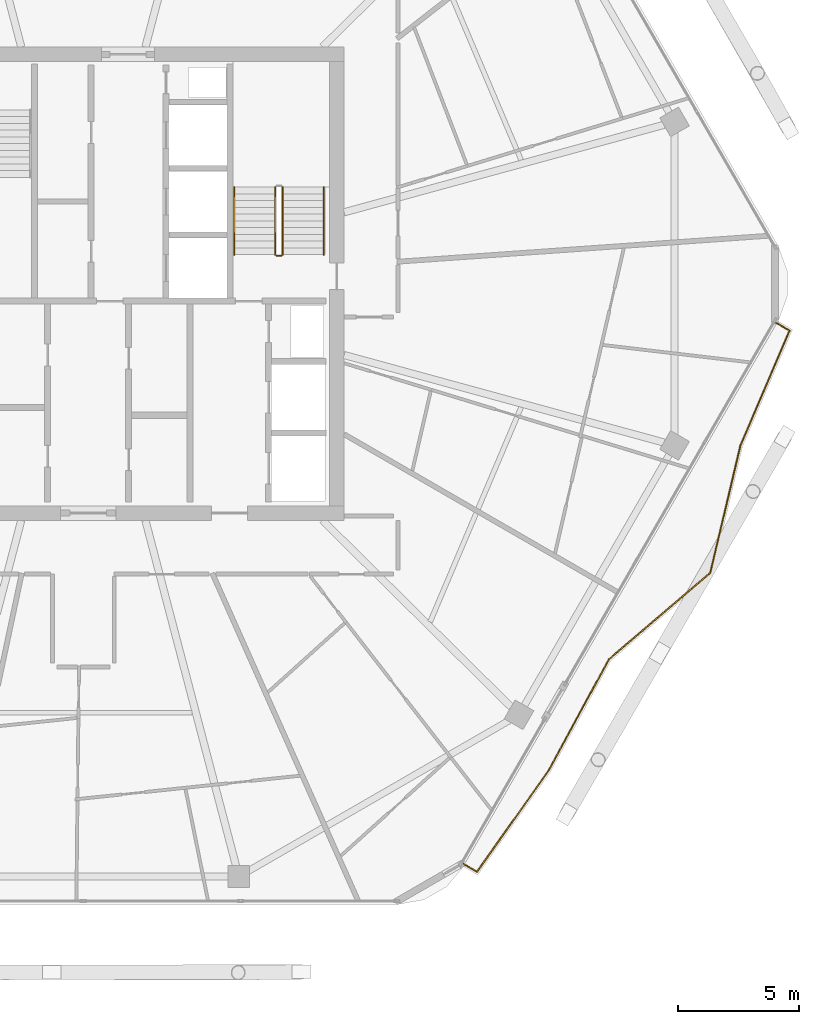
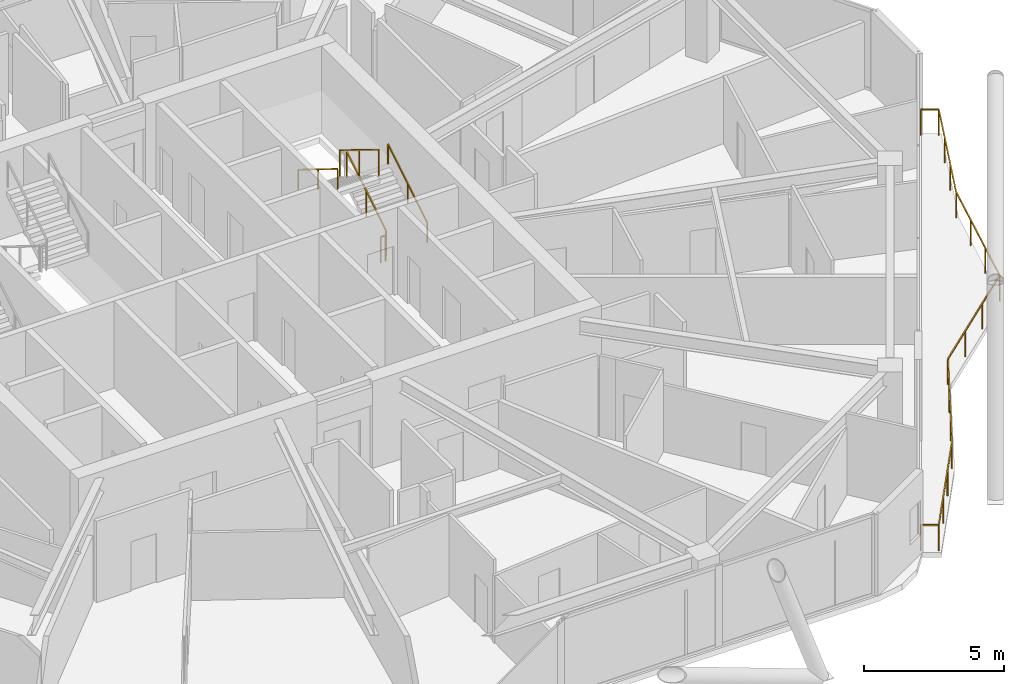
# One storey, part 27 of 29: 6 railings.
"""IFC4 building model written with IfcOpenShell, lengths in metres."""

from ifc_helpers import new_model, si_unit, direction, frame, origin, origin_2d, place, context, subcontext, project, spatial, rectangle, extrude, material, type_object, element, save


model = new_model("IFC4")

# Units and contexts
model_context = context("Model", 3, precision=1e-05, world=origin(), true_north=direction((0.0, 1.0)))
body_context = subcontext(model_context, "Body", "Model", "MODEL_VIEW")
ifc_project = project(units=[si_unit("LENGTHUNIT", "METRE"), si_unit("AREAUNIT", "SQUARE_METRE"), si_unit("VOLUMEUNIT", "CUBIC_METRE"), si_unit("PLANEANGLEUNIT", "RADIAN"), si_unit("MASSUNIT", "GRAM", prefix="KILO")], contexts=[model_context])

# Site, building, storey
site_placement = place(None, origin())
site = spatial("IfcSite", under=ifc_project, at=site_placement, CompositionType="ELEMENT")
building_placement = place(site_placement, origin())
building = spatial("IfcBuilding", under=site, at=building_placement, Name="Zuhravey Tower", CompositionType="ELEMENT")
storey_placement = place(building_placement, frame((0.0, 0.0, 246.39990234375)))
storey = spatial("IfcBuildingStorey", under=building, at=storey_placement, Name="L62", CompositionType="ELEMENT", Elevation=246.39990234375)

# Railings
ifc_material_1 = material(Name="Stainless steel 316 and laminated glass", Category="steel")
railing_type_1 = type_object("IfcRailingType", Name="Balcony & Terrace Guardrail 1150", PredefinedType="BALUSTRADE", material=ifc_material_1)
railing_1_placement = place(storey_placement, frame((64.68310546875, 30.38330078125, 0.0)))
element("IfcRailing", 1, at=railing_1_placement, inside=storey, type_object=railing_type_1, Name="L62 Face 6 Wave Balcony Guardrail GR1", PredefinedType="BALUSTRADE", context=body_context, shape_type="SweptSolid", body=[
    extrude(rectangle(XDim=0.048095703125, YDim=0.048095703125, at=origin_2d()), frame((0.001708984375, -0.0009765625, 1.1259765625), z_axis=(0.866229264226, -0.499646737003, 0.0), x_axis=(0.499646737003, 0.866229264226, 0.0)), (0.0, 0.0, 1.0), 0.6474609375),
    extrude(rectangle(XDim=0.048095703125, YDim=0.048095703125, at=origin_2d()), frame((0.5634765625, -0.327392578125, 1.1259765625), z_axis=(-0.393235827629, -0.919437645449, 0.0), x_axis=(0.919437645449, -0.393235827629, 0.0)), (0.0, 0.0, 1.0), 5.170166015625),
    extrude(rectangle(XDim=0.048095703125, YDim=0.048095703125, at=origin_2d()), frame((-1.470947265625, -5.084716796875, 1.1259765625), z_axis=(-0.230469750146, -0.97307949021, 0.0), x_axis=(0.97307949021, -0.230469750146, 0.0)), (0.0, 0.0, 1.0), 5.41748046875),
    extrude(rectangle(XDim=0.048095703125, YDim=0.048095703125, at=origin_2d()), frame((-2.721435546875, -10.359619140625, 1.1259765625), z_axis=(-0.760690721495, -0.649114493931, 0.0), x_axis=(0.649114493931, -0.760690721495, 0.0)), (0.0, 0.0, 1.0), 5.5166015625),
    extrude(rectangle(XDim=0.048095703125, YDim=0.048095703125, at=origin_2d()), frame((-6.92041015625, -13.943603515625, 1.1259765625), z_axis=(-0.476869387505, -0.878974167573, 0.0), x_axis=(0.878974167573, -0.476869387505, 0.0)), (0.0, 0.0, 1.0), 5.227294921875),
    extrude(rectangle(XDim=0.048095703125, YDim=0.048095703125, at=origin_2d()), frame((-9.415283203125, -18.541748046875, 1.1259765625), z_axis=(-0.576823017697, -0.816869148796, 0.0), x_axis=(0.816869148796, -0.576823017697, 0.0)), (0.0, 0.0, 1.0), 5.13720703125),
    extrude(rectangle(XDim=0.048095703125, YDim=0.048095703125, at=origin_2d()), frame((-12.38134765625, -22.73876953125, 1.1259765625), z_axis=(-0.865941137857, 0.500145924473, 0.0), x_axis=(-0.500145924473, -0.865941137857, 0.0)), (0.0, 0.0, 1.0), 0.644775390625),
    extrude(rectangle(XDim=0.0419921875, YDim=0.0419921875, at=origin_2d()), origin(), (0.0, 0.0, 1.0), 1.099853515625),
    extrude(rectangle(XDim=0.0419921875, YDim=0.0419921875, at=origin_2d()), frame((0.564208984375, -0.325439453125, 0.0)), (0.0, 0.0, 1.0), 1.099853515625),
    extrude(rectangle(XDim=0.0419921875, YDim=0.0419921875, at=origin_2d()), frame((-0.114013671875, -1.9111328125, 0.0)), (0.0, 0.0, 1.0), 1.099853515625),
    extrude(rectangle(XDim=0.0419921875, YDim=0.0419921875, at=origin_2d()), frame((-0.792236328125, -3.4970703125, 0.0)), (0.0, 0.0, 1.0), 1.099853515625),
    extrude(rectangle(XDim=0.0419921875, YDim=0.0419921875, at=origin_2d()), frame((-1.470458984375, -5.082763671875, 0.0)), (0.0, 0.0, 1.0), 1.099853515625),
    extrude(rectangle(XDim=0.0419921875, YDim=0.0419921875, at=origin_2d()), frame((-1.886962890625, -6.84130859375, 0.0)), (0.0, 0.0, 1.0), 1.099853515625),
    extrude(rectangle(XDim=0.0419921875, YDim=0.0419921875, at=origin_2d()), frame((-2.303466796875, -8.599853515625, 0.0)), (0.0, 0.0, 1.0), 1.099853515625),
    extrude(rectangle(XDim=0.0419921875, YDim=0.0419921875, at=origin_2d()), frame((-2.719970703125, -10.3583984375, 0.0)), (0.0, 0.0, 1.0), 1.099853515625),
    extrude(rectangle(XDim=0.0419921875, YDim=0.0419921875, at=origin_2d()), frame((-4.119873046875, -11.552978515625, 0.0)), (0.0, 0.0, 1.0), 1.099853515625),
    extrude(rectangle(XDim=0.0419921875, YDim=0.0419921875, at=origin_2d()), frame((-5.51953125, -12.747314453125, 0.0)), (0.0, 0.0, 1.0), 1.099853515625),
    extrude(rectangle(XDim=0.0419921875, YDim=0.0419921875, at=origin_2d()), frame((-6.91943359375, -13.94189453125, 0.0)), (0.0, 0.0, 1.0), 1.099853515625),
    extrude(rectangle(XDim=0.0419921875, YDim=0.0419921875, at=origin_2d()), frame((-7.7509765625, -15.474609375, 0.0)), (0.0, 0.0, 1.0), 1.099853515625),
    extrude(rectangle(XDim=0.0419921875, YDim=0.0419921875, at=origin_2d()), frame((-8.58251953125, -17.00732421875, 0.0)), (0.0, 0.0, 1.0), 1.099853515625),
    extrude(rectangle(XDim=0.0419921875, YDim=0.0419921875, at=origin_2d()), frame((-9.4140625, -18.5400390625, 0.0)), (0.0, 0.0, 1.0), 1.099853515625),
    extrude(rectangle(XDim=0.0419921875, YDim=0.0419921875, at=origin_2d()), frame((-10.402587890625, -19.93994140625, 0.0)), (0.0, 0.0, 1.0), 1.099853515625),
    extrude(rectangle(XDim=0.0419921875, YDim=0.0419921875, at=origin_2d()), frame((-11.39111328125, -21.33984375, 0.0)), (0.0, 0.0, 1.0), 1.099853515625),
    extrude(rectangle(XDim=0.0419921875, YDim=0.0419921875, at=origin_2d()), frame((-12.379638671875, -22.73974609375, 0.0)), (0.0, 0.0, 1.0), 1.099853515625),
    extrude(rectangle(XDim=0.0419921875, YDim=0.0419921875, at=origin_2d()), frame((-12.94140625, -22.415283203125, 0.0)), (0.0, 0.0, 1.0), 1.099853515625),
])
ifc_material_2 = material(Name="Brushed stainless steel", Category="steel")
railing_type_2 = type_object("IfcRailingType", Name="Stair Wall Handrail 900", PredefinedType="HANDRAIL", material=ifc_material_2)
railing_2_placement = place(storey_placement, frame((45.949951171875, 33.199951171875, 0.1728515625)))
element("IfcRailing", 2, at=railing_2_placement, inside=storey, type_object=railing_type_2, Name="L62 ST2 stair handrail 1", PredefinedType="HANDRAIL", context=body_context, shape_type="SweptSolid", body=[
    extrude(rectangle(XDim=0.048095703125, YDim=0.048095703125, at=origin_2d()), frame((0.0, 0.001708984375, 0.876953125), z_axis=(0.0, 0.851089632645, 0.525020415988), x_axis=(-1.0, 0.0, 0.0)), (0.0, 0.0, 1.0), 3.285888671875),
    extrude(rectangle(XDim=0.0419921875, YDim=0.0419921875, at=origin_2d()), origin(), (0.0, 0.0, 1.0), 0.849853515625),
    extrude(rectangle(XDim=0.0419921875, YDim=0.0419921875, at=origin_2d()), frame((0.0, 1.39990234375, 0.86376953125)), (0.0, 0.0, 1.0), 0.849853515625),
    extrude(rectangle(XDim=0.0419921875, YDim=0.0419921875, at=origin_2d()), frame((0.0, 2.800048828125, 1.727294921875)), (0.0, 0.0, 1.0), 0.849853515625),
])
railing_3_placement = place(storey_placement, frame((42.25, 36.0, 2.07275390625)))
element("IfcRailing", 3, at=railing_3_placement, inside=storey, type_object=railing_type_2, Name="L62 ST2 stair handrail 2", PredefinedType="HANDRAIL", context=body_context, shape_type="SweptSolid", body=[
    extrude(rectangle(XDim=0.048095703125, YDim=0.048095703125, at=origin_2d()), frame((0.0, -0.001708984375, 0.876953125), z_axis=(0.0, -0.851089632645, 0.525020415988), x_axis=(1.0, 0.0, 0.0)), (0.0, 0.0, 1.0), 3.285888671875),
    extrude(rectangle(XDim=0.0419921875, YDim=0.0419921875, at=origin_2d()), origin(), (0.0, 0.0, 1.0), 0.849853515625),
    extrude(rectangle(XDim=0.0419921875, YDim=0.0419921875, at=origin_2d()), frame((0.0, -1.39990234375, 0.86376953125)), (0.0, 0.0, 1.0), 0.849853515625),
    extrude(rectangle(XDim=0.0419921875, YDim=0.0419921875, at=origin_2d()), frame((0.0, -2.800048828125, 1.727294921875)), (0.0, 0.0, 1.0), 0.849853515625),
])
ifc_material_3 = material(Name="Painted tubular steel", Category="steel")
railing_type_3 = type_object("IfcRailingType", Name="Stair Well Guardrail 1150", PredefinedType="GUARDRAIL", material=ifc_material_3)
railing_4_placement = place(storey_placement, frame((44.25, 33.199951171875, 0.1728515625)))
element("IfcRailing", 4, at=railing_4_placement, inside=storey, type_object=railing_type_3, Name="L62 ST2 stair guard 1", PredefinedType="GUARDRAIL", context=body_context, shape_type="SweptSolid", body=[
    extrude(rectangle(XDim=0.048095703125, YDim=0.048095703125, at=origin_2d()), frame((0.0, 0.001708984375, 1.126953125), z_axis=(0.0, 0.851089632645, 0.525020415988), x_axis=(-1.0, 0.0, 0.0)), (0.0, 0.0, 1.0), 3.285888671875),
    extrude(rectangle(XDim=0.0419921875, YDim=0.0419921875, at=origin_2d()), origin(), (0.0, 0.0, 1.0), 1.099853515625),
    extrude(rectangle(XDim=0.0419921875, YDim=0.0419921875, at=origin_2d()), frame((0.0, 1.39990234375, 0.86376953125)), (0.0, 0.0, 1.0), 1.099853515625),
    extrude(rectangle(XDim=0.0419921875, YDim=0.0419921875, at=origin_2d()), frame((0.0, 2.800048828125, 1.727294921875)), (0.0, 0.0, 1.0), 1.099853515625),
])
railing_5_placement = place(storey_placement, frame((43.949951171875, 36.0, 2.07275390625)))
element("IfcRailing", 5, at=railing_5_placement, inside=storey, type_object=railing_type_3, Name="L62 ST2 stair guard 3", PredefinedType="GUARDRAIL", context=body_context, shape_type="SweptSolid", body=[
    extrude(rectangle(XDim=0.048095703125, YDim=0.048095703125, at=origin_2d()), frame((0.0, -0.001708984375, 1.126953125), z_axis=(0.0, -0.851089632645, 0.525020415988), x_axis=(1.0, 0.0, 0.0)), (0.0, 0.0, 1.0), 3.285888671875),
    extrude(rectangle(XDim=0.0419921875, YDim=0.0419921875, at=origin_2d()), origin(), (0.0, 0.0, 1.0), 1.099853515625),
    extrude(rectangle(XDim=0.0419921875, YDim=0.0419921875, at=origin_2d()), frame((0.0, -1.39990234375, 0.86376953125)), (0.0, 0.0, 1.0), 1.099853515625),
    extrude(rectangle(XDim=0.0419921875, YDim=0.0419921875, at=origin_2d()), frame((0.0, -2.800048828125, 1.727294921875)), (0.0, 0.0, 1.0), 1.099853515625),
])
railing_6_placement = place(storey_placement, frame((44.199951171875, 33.14990234375, 0.0)))
element("IfcRailing", 6, at=railing_6_placement, inside=storey, type_object=railing_type_3, Name="L62 ST2 stair guard 4", PredefinedType="GUARDRAIL", context=body_context, shape_type="SweptSolid", body=[
    extrude(rectangle(XDim=0.048095703125, YDim=0.048095703125, at=origin_2d()), frame((-0.001953125, 0.0, 1.1259765625), z_axis=(-1.0, 0.0, 0.0), x_axis=(0.0, -1.0, 0.0)), (0.0, 0.0, 1.0), 0.196044921875),
    extrude(rectangle(XDim=0.0419921875, YDim=0.0419921875, at=origin_2d()), origin(), (0.0, 0.0, 1.0), 1.099853515625),
    extrude(rectangle(XDim=0.0419921875, YDim=0.0419921875, at=origin_2d()), frame((-0.199951171875, 0.0, 0.0)), (0.0, 0.0, 1.0), 1.099853515625),
])

save(model, "model.ifc")
